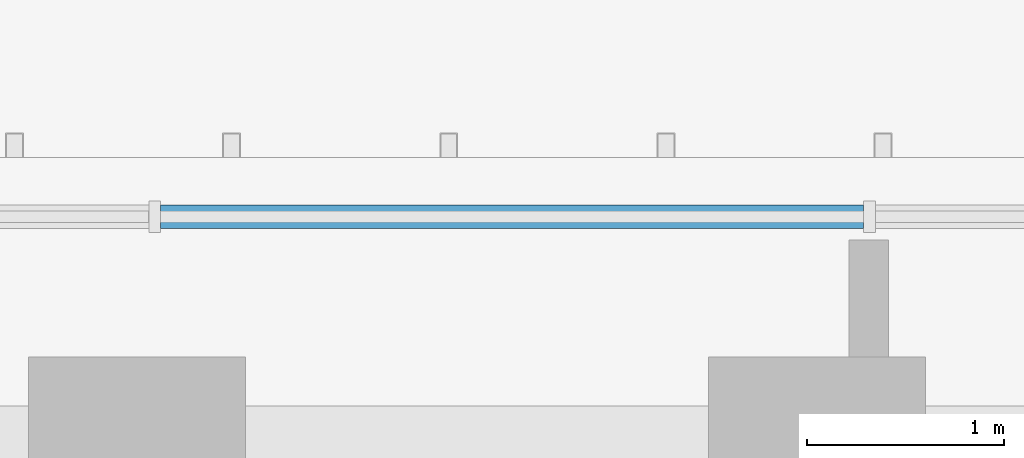
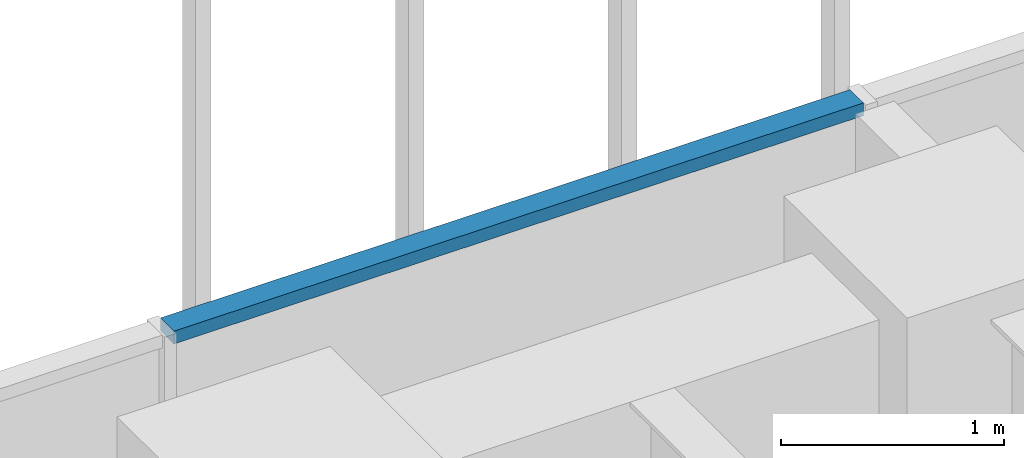
# One storey, part 90 of 127: 1 member, 1 element without a shape of its own.
"""IFC4 building model written with IfcOpenShell, lengths in metres."""

import ifcopenshell
import ifcopenshell.guid

model = None  # the IFC model being written
_history = None  # IfcOwnerHistory: only IFC2X3 demands one
_inside = {}  # id of a spatial element -> (the spatial element, [elements in it])
_under = {}  # id of a project, library or spatial element -> (it, [spatial elements below it])
_declared = {}  # id of a project -> (the project, [libraries it declares])
_typed = {}  # id of a type object -> (the type object, [elements of that type])
_made_of = {}  # id of a material, layer set ... -> (it, [elements and type objects made of it])


def new_model(schema):
    """Start an empty IFC model of exactly this schema.

    Asked for "IFC4X3", IfcOpenShell would pick the latest addendum, in which some entities
    have other attributes; the version numbers below select the first issue.
    IFC2X3 requires an IfcOwnerHistory on every rooted entity: one is made here for all.
    """
    global model, _history
    if schema == "IFC4X3":
        model = ifcopenshell.file(schema_version=(4, 3, 0, 0))
    else:
        model = ifcopenshell.file(schema=schema)
    _inside.clear()
    _under.clear()
    _declared.clear()
    _typed.clear()
    _made_of.clear()
    _history = None
    if model.schema == "IFC2X3":
        org = make("IfcOrganization", Name="unknown")
        user = make(
            "IfcPersonAndOrganization",
            ThePerson=make("IfcPerson", FamilyName="unknown"),
            TheOrganization=org,
        )
        app = make(
            "IfcApplication",
            ApplicationDeveloper=org,
            Version="unknown",
            ApplicationFullName="unknown",
            ApplicationIdentifier="unknown",
        )
        _history = make(
            "IfcOwnerHistory",
            OwningUser=user,
            OwningApplication=app,
            ChangeAction="ADDED",
            CreationDate=0,
        )
    return model


def make(cls, **values):
    """One entity of the class cls with the attributes given. An attribute that is None is left unset."""
    return model.create_entity(
        cls, **{name: value for name, value in values.items() if value is not None}
    )


def rooted(cls, **values):
    """An entity with a GlobalId (a new one), such as an element, a storey or a relation."""
    return make(cls, GlobalId=ifcopenshell.guid.new(), OwnerHistory=_history, **values)


def si_unit(unit_type, name, prefix=None):
    """IfcSIUnit, for example si_unit("LENGTHUNIT", "METRE", prefix="MILLI")."""
    return make("IfcSIUnit", UnitType=unit_type, Prefix=prefix, Name=name)


def assignment(units):
    """IfcUnitAssignment: the units of a project."""
    return None if units is None else make("IfcUnitAssignment", Units=units)


def point(xyz):
    """IfcCartesianPoint."""
    return None if xyz is None else make("IfcCartesianPoint", Coordinates=xyz)


def direction(xyz):
    """IfcDirection."""
    return None if xyz is None else make("IfcDirection", DirectionRatios=xyz)


def frame(location, z_axis=None, x_axis=None):
    """IfcAxis2Placement3D, a coordinate frame: its origin and axes. An axis left out is left unset."""
    return make(
        "IfcAxis2Placement3D",
        Location=point(location),
        Axis=direction(z_axis),
        RefDirection=direction(x_axis),
    )


def frame_2d(location, x_axis=None):
    """IfcAxis2Placement2D, a coordinate frame in the plane: its origin and x axis."""
    return make(
        "IfcAxis2Placement2D", Location=point(location), RefDirection=direction(x_axis)
    )


def origin():
    """The frame at (0, 0, 0) with its axes left unset."""
    return frame((0.0, 0.0, 0.0))


def origin_2d():
    """The frame at (0, 0) in the plane with its x axis left unset."""
    return frame_2d((0.0, 0.0))


def place(relative_to, where):
    """IfcLocalPlacement: puts the frame where relative to a parent placement (None: the world)."""
    return make(
        "IfcLocalPlacement", PlacementRelTo=relative_to, RelativePlacement=where
    )


def context(
    kind, dimensions, precision=None, world=None, true_north=None, identifier=None
):
    """IfcGeometricRepresentationContext, for example the 3D "Model" context."""
    return make(
        "IfcGeometricRepresentationContext",
        ContextIdentifier=identifier,
        ContextType=kind,
        CoordinateSpaceDimension=dimensions,
        Precision=precision,
        WorldCoordinateSystem=world,
        TrueNorth=true_north,
    )


def subcontext(parent, identifier, kind, view, scale=None):
    """IfcGeometricRepresentationSubContext, for example "Body" below "Model"."""
    return make(
        "IfcGeometricRepresentationSubContext",
        ContextIdentifier=identifier,
        ContextType=kind,
        ParentContext=parent,
        TargetScale=scale,
        TargetView=view,
    )


def project(units=None, contexts=None):
    """IfcProject with its units and contexts."""
    return rooted(
        "IfcProject",
        Name="project",
        RepresentationContexts=contexts,
        UnitsInContext=assignment(units),
    )


def spatial(cls, under=None, at=None, **own):
    """A site, building, storey or space (cls), placed at a placement, below another one or the project."""
    s = rooted(cls, ObjectPlacement=at, **own)
    if under is not None:
        _under.setdefault(under.id(), (under, []))[1].append(s)
    return s


def profile(cls, at=None, kind="AREA", **sizes):
    """A parametric profile (cls). Its sizes go by their IFC names, for example OverallWidth=200.0."""
    return make(cls, ProfileType=kind, Position=at, **sizes)


def rectangle(**sizes):
    """IfcRectangleProfileDef."""
    return profile("IfcRectangleProfileDef", **sizes)


def extrude(swept, where, along, depth):
    """IfcExtrudedAreaSolid: the profile swept, set in the frame where, extruded along a direction by depth."""
    return make(
        "IfcExtrudedAreaSolid",
        SweptArea=swept,
        Position=where,
        ExtrudedDirection=direction(along),
        Depth=depth,
    )


def shape(context_of_items, identifier, shape_type, items):
    """IfcShapeRepresentation: the items that make up one representation, for example the "Body"."""
    return make(
        "IfcShapeRepresentation",
        ContextOfItems=context_of_items,
        RepresentationIdentifier=identifier,
        RepresentationType=shape_type,
        Items=items,
    )


def material(Name=None, Category=None):
    """IfcMaterial."""
    return make("IfcMaterial", Name=Name, Category=Category)


def material_profile(
    of_material, cross_section, Name=None, Category=None, Priority=None
):
    """IfcMaterialProfile: a cross section and its material."""
    return make(
        "IfcMaterialProfile",
        Name=Name,
        Material=of_material,
        Profile=cross_section,
        Priority=Priority,
        Category=Category,
    )


def profile_set(profiles, Name=None, composite=None):
    """IfcMaterialProfileSet."""
    return make(
        "IfcMaterialProfileSet",
        Name=Name,
        MaterialProfiles=profiles,
        CompositeProfile=composite,
    )


def made_of(thing, what):
    """Note that an element or type object is made of a material, layer set ...; save() writes the relation."""
    if what is not None:
        _made_of.setdefault(what.id(), (what, []))[1].append(thing)
    return thing


def type_object(cls, material=None, **own):
    """A type object (cls), such as IfcWallType, which elements share."""
    return made_of(rooted(cls, **own), material)


def element(
    cls,
    number,
    at=None,
    inside=None,
    cuts=None,
    type_object=None,
    material=None,
    context=None,
    identifier="Body",
    shape_type=None,
    held_by="IfcProductDefinitionShape",
    body=None,
    shapes=None,
    **own,
):
    """One element of the class cls, such as IfcWall. Its Tag is "e" and its number.

    at: its placement. inside: the storey or other place that contains it. cuts: it is an
    opening in that element (IfcRelVoidsElement). A single representation is given by context,
    identifier, shape_type and body (its items); several are given by shapes. held_by: the class
    of the entity that holds the representations. save() writes the other relations.
    """
    e = rooted(cls, Tag="e%d" % number, ObjectPlacement=at, **own)
    if body is not None:
        shapes = [shape(context, identifier, shape_type, body)]
    if shapes is not None:
        e.Representation = make(held_by, Representations=shapes)
    if inside is not None:
        _inside.setdefault(inside.id(), (inside, []))[1].append(e)
    if cuts is not None:
        rooted(
            "IfcRelVoidsElement", RelatingBuildingElement=cuts, RelatedOpeningElement=e
        )
    if type_object is not None:
        _typed.setdefault(type_object.id(), (type_object, []))[1].append(e)
    return made_of(e, material)


def aggregate(whole, parts):
    """IfcRelAggregates: a whole, such as a stair, and the parts it consists of."""
    return rooted("IfcRelAggregates", RelatingObject=whole, RelatedObjects=parts)


def save(model, path):
    """Write the relations noted so far, then the file.

    IfcRelAggregates (storeys below a building ...), IfcRelContainedInSpatialStructure (elements
    in a storey), IfcRelDefinesByType, IfcRelAssociatesMaterial and IfcRelDeclares: one each for
    every whole, place, type object, material and project.
    """
    for whole, parts in _under.values():
        aggregate(whole, parts)
    for where, things in _inside.values():
        rooted(
            "IfcRelContainedInSpatialStructure",
            RelatedElements=things,
            RelatingStructure=where,
        )
    for kind, things in _typed.values():
        rooted("IfcRelDefinesByType", RelatedObjects=things, RelatingType=kind)
    for what, things in _made_of.values():
        rooted("IfcRelAssociatesMaterial", RelatedObjects=things, RelatingMaterial=what)
    for by, libraries in _declared.values():
        rooted("IfcRelDeclares", RelatingContext=by, RelatedDefinitions=libraries)
    model.write(path)


model = new_model("IFC4")

# Units and contexts
model_context = context("Model", 3, precision=1e-05, world=origin(), true_north=direction((0.0, 1.0)))
body_context = subcontext(model_context, "Body", "Model", "MODEL_VIEW")
ifc_project = project(units=[si_unit("LENGTHUNIT", "METRE"), si_unit("AREAUNIT", "SQUARE_METRE"), si_unit("VOLUMEUNIT", "CUBIC_METRE"), si_unit("PLANEANGLEUNIT", "RADIAN"), si_unit("MASSUNIT", "GRAM", prefix="KILO")], contexts=[model_context])

# Site, building, storey
site_placement = place(None, origin())
site = spatial("IfcSite", under=ifc_project, at=site_placement, CompositionType="ELEMENT")
building_placement = place(site_placement, origin())
building = spatial("IfcBuilding", under=site, at=building_placement, Name="Sandreach Pilgrim Tower", CompositionType="ELEMENT")
storey_placement = place(building_placement, frame((0.0, 0.0, 257.0)))
storey = spatial("IfcBuildingStorey", under=building, at=storey_placement, Name="L64", CompositionType="ELEMENT", Elevation=257.0)

# Curtain wall, member
ifc_material_1 = material(Name="Aluminium framed curtain wall", Category="aluminium")
curtain_wall_type = type_object("IfcCurtainWallType", Name="Suite tower curtain wall", PredefinedType="NOTDEFINED", material=ifc_material_1)
curtain_wall_placement = place(storey_placement, origin())
curtain_wall = element("IfcCurtainWall", 1, at=curtain_wall_placement, inside=storey, type_object=curtain_wall_type, Name="CW-4 L64 N", PredefinedType="NOTDEFINED")
ifc_material_2 = material(Name="Aluminium extrusion", Category="aluminium")
ifc_material_profile = material_profile(ifc_material_2, rectangle(XDim=0.1201171875, YDim=0.070068359375, at=origin_2d()), Name="CW-4T 120X70")
ifc_profile_set = profile_set([ifc_material_profile], Name="Aluminium extrusion")
member_type = type_object("IfcMemberType", Name="CW-4 transom", PredefinedType="USERDEFINED", material=ifc_profile_set)
member_placement = place(storey_placement, frame((1.8408203125, 19.826416015625, 3.60498046875), z_axis=(1.0, 0.0, 0.0), x_axis=(0.0, 1.0, 0.0)))
member = element("IfcMember", 2, at=member_placement, type_object=member_type, Name="CW-4 head transom 6", ObjectType="TRANSOM", PredefinedType="USERDEFINED", context=body_context, shape_type="SweptSolid", body=[
    extrude(rectangle(XDim=0.1201171875, YDim=0.070068359375, at=origin_2d()), origin(), (0.0, 0.0, 1.0), 3.56201171875),
])
aggregate(curtain_wall, [member])

save(model, "model.ifc")
